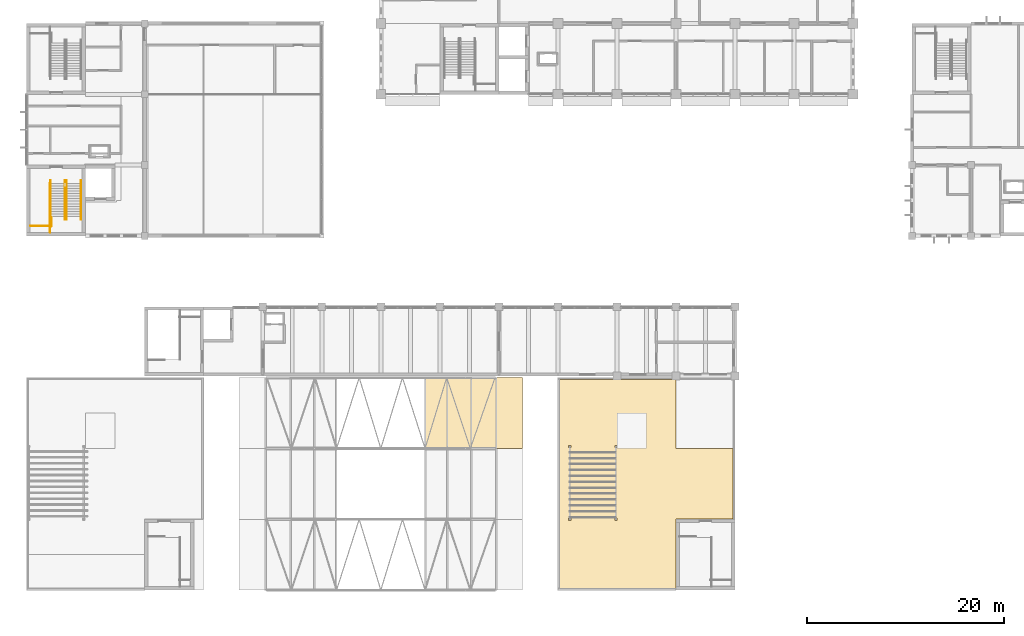
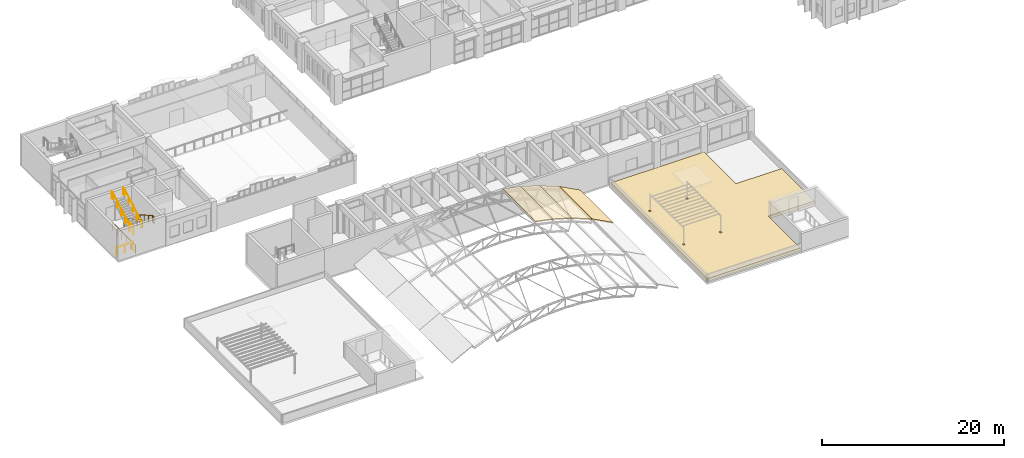
# One storey, part 83 of 92: 7 railings, 5 coverings.
"""IFC4 building model written with IfcOpenShell, lengths in metres."""

from ifc_helpers import new_model, si_unit, direction, frame, origin, origin_2d, place, context, subcontext, project, spatial, polyline, circle, outline, extrude, material, layer, layer_set, type_object, element, save


model = new_model("IFC4")

# Units and contexts
model_context = context("Model", 3, precision=1e-05, world=origin(), true_north=direction((0.0, 1.0)))
body_context = subcontext(model_context, "Body", "Model", "MODEL_VIEW")
ifc_project = project(units=[si_unit("LENGTHUNIT", "METRE"), si_unit("AREAUNIT", "SQUARE_METRE"), si_unit("VOLUMEUNIT", "CUBIC_METRE"), si_unit("PLANEANGLEUNIT", "RADIAN"), si_unit("MASSUNIT", "GRAM", prefix="KILO")], contexts=[model_context])

# Site, building, storey
site_placement = place(None, origin())
site = spatial("IfcSite", under=ifc_project, at=site_placement, CompositionType="ELEMENT")
building_placement = place(site_placement, origin())
building = spatial("IfcBuilding", under=site, at=building_placement, Name="Laocheng Heights Fire and Rescue Headquarters", CompositionType="ELEMENT")
storey_placement = place(building_placement, frame((0.0, 0.0, 12.60009765625)))
storey = spatial("IfcBuildingStorey", under=building, at=storey_placement, Name="L03", CompositionType="ELEMENT", Elevation=12.60009765625)

# Coverings
ifc_material_1 = material(Name="Standing-seam aluminium roof panel on insulated profiled deck", Category="aluminium")
ifc_layer_1 = layer(ifc_material_1, 0.1201171875)
ifc_layer_set_1 = layer_set([ifc_layer_1], Name="Standing-seam aluminium roof panel on insulated profiled deck")
covering_type_1 = type_object("IfcCoveringType", Name="BAY ROOF COVERING 120", PredefinedType="ROOFING", material=ifc_layer_set_1)
covering_1_placement = place(storey_placement, frame((40.559326171875, 14.39990234375, 4.25537109375), z_axis=(0.200082776709, 0.0, 0.979778996746), x_axis=(0.979778996746, 0.0, -0.200082776709)))
element("IfcCovering", 1, at=covering_1_placement, inside=storey, type_object=covering_type_1, Name="Roof covering facet 11 bay 3", PredefinedType="ROOFING", context=body_context, shape_type="SweptSolid", body=[
    extrude(outline(polyline([(0.0, 0.0), (2.2598068906136968, 0.0), (2.2598068906136968, 7.2001953125), (0.0, 7.2001953125), (0.0, 0.0)])), origin(), (0.0, 0.0, -1.0), 0.1201171875),
])
covering_2_placement = place(storey_placement, frame((42.78466796875, 14.39990234375, 3.800537109375), z_axis=(0.284984637187, 0.0, 0.958532084266), x_axis=(0.958532084266, 0.0, -0.284984637187)))
element("IfcCovering", 2, at=covering_2_placement, inside=storey, type_object=covering_type_1, Name="Roof covering facet 12 bay 3", PredefinedType="ROOFING", context=body_context, shape_type="SweptSolid", body=[
    extrude(outline(polyline([(0.0, 0.0), (2.5314892549823567, 0.0), (2.5314892549823567, 7.200195312499999), (0.0, 7.200195312499999), (0.0, 0.0)])), origin(), (0.0, 0.0, -1.0), 0.1201171875),
])
covering_3_placement = place(storey_placement, frame((45.22314453125, 14.39990234375, 3.074951171875), z_axis=(0.375561989396, 0.0, 0.926797276712), x_axis=(0.926797276712, 0.0, -0.375561989396)))
element("IfcCovering", 3, at=covering_3_placement, inside=storey, type_object=covering_type_1, Name="Roof covering facet 13 bay 3", PredefinedType="ROOFING", context=body_context, shape_type="SweptSolid", body=[
    extrude(outline(polyline([(0.0, 0.0), (2.7322334949924394, 0.0), (2.7322334949924394, 7.200195312500002), (0.0, 7.200195312500002), (0.0, 0.0)])), origin(), (0.0, 0.0, -1.0), 0.1201171875),
])
covering_4_placement = place(storey_placement, frame((47.767578125, 14.39990234375, 2.043212890625), z_axis=(0.470032816659, 0.0, 0.882648939989), x_axis=(0.882648939989, 0.0, -0.470032816659)))
element("IfcCovering", 4, at=covering_4_placement, inside=storey, type_object=covering_type_1, Name="Roof covering facet 14 bay 3", PredefinedType="ROOFING", context=body_context, shape_type="SweptSolid", body=[
    extrude(outline(polyline([(0.0, 0.0), (2.989215320882096, 0.0), (2.989215320882096, 7.200195312500002), (0.0, 7.200195312500002), (0.0, 0.0)])), origin(), (0.0, 0.0, -1.0), 0.1201171875),
])
ifc_material_2 = material(Name="Green roof substrate planted with sedum, on drainage layer")
ifc_layer_2 = layer(ifc_material_2, 0.39990234375)
ifc_layer_set_2 = layer_set([ifc_layer_2], Name="Green roof substrate planted with sedum, on drainage layer")
covering_type_2 = type_object("IfcCoveringType", Name="GREEN ROOF BUILD-UP 400", PredefinedType="ROOFING", material=ifc_layer_set_2)
covering_5_placement = place(storey_placement, origin())
element("IfcCovering", 5, at=covering_5_placement, inside=storey, type_object=covering_type_2, Name="Green roof Flank E", PredefinedType="ROOFING", context=body_context, shape_type="SweptSolid", body=[
    extrude(outline(polyline([(71.820068359375, 14.39990234375), (66.0, 14.39990234375), (66.0, 21.419921875), (54.179931640625, 21.419921875), (54.179931640625, 0.179931640625), (65.97998046875, 0.179931640625), (65.97998046875, 7.199951171875), (65.97998046875, 7.201904296875), (65.98046875, 7.203857421875), (65.98095703125, 7.205810546875), (65.9814453125, 7.207763671875), (65.982421875, 7.20947265625), (65.9833984375, 7.211181640625), (65.984619140625, 7.212646484375), (65.98583984375, 7.214111328125), (65.9873046875, 7.215576171875), (65.989013671875, 7.216552734375), (65.990478515625, 7.217529296875), (65.9921875, 7.218505859375), (65.994140625, 7.218994140625), (65.99609375, 7.219482421875), (65.998046875, 7.219970703125), (66.0, 7.219970703125), (71.820068359375, 7.219970703125), (71.820068359375, 14.39990234375)]), holes=[polyline([(55.080078125, 7.080078125), (55.080078125, 7.320068359375), (55.320068359375, 7.320068359375), (55.320068359375, 7.080078125), (55.080078125, 7.080078125)]), polyline([(59.780029296875, 7.080078125), (59.780029296875, 7.320068359375), (60.02001953125, 7.320068359375), (60.02001953125, 7.080078125), (59.780029296875, 7.080078125)]), polyline([(55.080078125, 14.47998046875), (55.080078125, 14.719970703125), (55.320068359375, 14.719970703125), (55.320068359375, 14.47998046875), (55.080078125, 14.47998046875)]), polyline([(59.780029296875, 14.47998046875), (59.780029296875, 14.719970703125), (60.02001953125, 14.719970703125), (60.02001953125, 14.47998046875), (59.780029296875, 14.47998046875)])]), origin(), (0.0, 0.0, 1.0), 0.39990234375),
])

# Railings
ifc_material_3 = material(Name="Steel Q355B", Category="steel")
railing_type_1 = type_object("IfcRailingType", Name="STAIR GUARD 1100", PredefinedType="GUARDRAIL", material=ifc_material_3)
railing_1_placement = place(storey_placement, frame((2.47509765625, 37.030029296875, 0.0)))
element("IfcRailing", 6, at=railing_1_placement, inside=storey, type_object=railing_type_1, Name="Stair P1 guard L03 tongue edge", PredefinedType="GUARDRAIL", context=body_context, shape_type="SweptSolid", body=[
    extrude(circle(Radius=0.02392578125, at=origin_2d()), frame((0.0, 0.0, 1.076171875), z_axis=(-1.0, 0.0, 0.0), x_axis=(0.0, -1.0, 0.0)), (0.0, 0.0, 1.0), 2.0751953125),
    extrude(circle(Radius=0.02099609375, at=origin_2d()), origin(), (0.0, 0.0, 1.0), 1.052001953125),
    extrude(circle(Radius=0.02099609375, at=origin_2d()), frame((-1.03759765625, 0.0, 0.0)), (0.0, 0.0, 1.0), 1.052001953125),
    extrude(circle(Radius=0.02099609375, at=origin_2d()), frame((-2.0751953125, 0.0, 0.0)), (0.0, 0.0, 1.0), 1.052001953125),
])
railing_2_placement = place(storey_placement, frame((2.39501953125, 36.3701171875, 0.0)))
element("IfcRailing", 7, at=railing_2_placement, inside=storey, type_object=railing_type_1, Name="Stair P1 guard L03 strip edge", PredefinedType="GUARDRAIL", context=body_context, shape_type="SweptSolid", body=[
    extrude(circle(Radius=0.02392578125, at=origin_2d()), frame((0.0, 0.0, 1.076171875), z_axis=(0.0, 1.0, 0.0), x_axis=(-1.0, 0.0, 0.0)), (0.0, 0.0, 1.0), 4.97998046875),
    extrude(circle(Radius=0.02099609375, at=origin_2d()), origin(), (0.0, 0.0, 1.0), 1.052001953125),
    extrude(circle(Radius=0.02099609375, at=origin_2d()), frame((0.0, 0.99609375, 0.0)), (0.0, 0.0, 1.0), 1.052001953125),
    extrude(circle(Radius=0.02099609375, at=origin_2d()), frame((0.0, 1.991943359375, 0.0)), (0.0, 0.0, 1.0), 1.052001953125),
    extrude(circle(Radius=0.02099609375, at=origin_2d()), frame((0.0, 2.988037109375, 0.0)), (0.0, 0.0, 1.0), 1.052001953125),
    extrude(circle(Radius=0.02099609375, at=origin_2d()), frame((0.0, 3.98388671875, 0.0)), (0.0, 0.0, 1.0), 1.052001953125),
    extrude(circle(Radius=0.02099609375, at=origin_2d()), frame((0.0, 4.97998046875, 0.0)), (0.0, 0.0, 1.0), 1.052001953125),
])
railing_3_placement = place(storey_placement, frame((2.5048828125, 36.969970703125, 2.099853515625)))
element("IfcRailing", 8, at=railing_3_placement, inside=storey, type_object=railing_type_1, Name="Stair P1 guard L03 half landing", PredefinedType="GUARDRAIL", context=body_context, shape_type="SweptSolid", body=[
    extrude(circle(Radius=0.02392578125, at=origin_2d()), frame((0.0, 0.0, 1.076171875), z_axis=(0.0, 1.0, 0.0), x_axis=(-1.0, 0.0, 0.0)), (0.0, 0.0, 1.0), 0.900146484375),
    extrude(circle(Radius=0.02099609375, at=origin_2d()), origin(), (0.0, 0.0, 1.0), 1.052001953125),
    extrude(circle(Radius=0.02099609375, at=origin_2d()), frame((0.0, 0.900146484375, 0.0)), (0.0, 0.0, 1.0), 1.052001953125),
])
ifc_material_4 = material(Name="Steel Q355B", Category="steel")
railing_type_2 = type_object("IfcRailingType", Name="STAIR HANDRAIL 920", PredefinedType="HANDRAIL", material=ifc_material_4)
for number, where, name in (
    (9, (5.5048828125, 41.64990234375, 0.0), "Stair P1 handrail L03 1"),
    (10, (4.044921875, 41.64990234375, 0.0), "Stair P1 handrail L03 2"),
):
    element("IfcRailing", number, at=place(storey_placement, frame(where)), inside=storey, type_object=railing_type_2, Name=name, PredefinedType="HANDRAIL", context=body_context, shape_type="SweptSolid", body=[
        extrude(circle(Radius=0.02392578125, at=origin_2d()), frame((0.0, 0.0, 0.89599609375), z_axis=(0.0, -0.868544392059, 0.495611379029), x_axis=(1.0, 0.0, 0.0)), (0.0, 0.0, 1.0), 4.23681640625),
        extrude(circle(Radius=0.02392578125, at=origin_2d()), frame((0.0, -3.679931640625, 2.99560546875), z_axis=(0.0, -1.0, 0.0), x_axis=(1.0, 0.0, 0.0)), (0.0, 0.0, 1.0), 0.300048828125),
        extrude(circle(Radius=0.02099609375, at=origin_2d()), origin(), (0.0, 0.0, 1.0), 0.871826171875),
        extrude(circle(Radius=0.02099609375, at=origin_2d()), frame((0.0, -0.919921875, 0.52490234375)), (0.0, 0.0, 1.0), 0.871826171875),
        extrude(circle(Radius=0.02099609375, at=origin_2d()), frame((0.0, -1.83984375, 1.0498046875)), (0.0, 0.0, 1.0), 0.871826171875),
        extrude(circle(Radius=0.02099609375, at=origin_2d()), frame((0.0, -2.760009765625, 1.574951171875)), (0.0, 0.0, 1.0), 0.871826171875),
        extrude(circle(Radius=0.02099609375, at=origin_2d()), frame((0.0, -3.679931640625, 2.099853515625)), (0.0, 0.0, 1.0), 0.871826171875),
        extrude(circle(Radius=0.02099609375, at=origin_2d()), frame((0.0, -3.97998046875, 2.099853515625)), (0.0, 0.0, 1.0), 0.871826171875),
    ])
for number, where, name in (
    (11, (3.905029296875, 37.669921875, 2.099853515625), "Stair P1 handrail L03 3"),
    (12, (2.445068359375, 37.669921875, 2.099853515625), "Stair P1 handrail L03 4"),
):
    element("IfcRailing", number, at=place(storey_placement, frame(where)), inside=storey, type_object=railing_type_2, Name=name, PredefinedType="HANDRAIL", context=body_context, shape_type="SweptSolid", body=[
        extrude(circle(Radius=0.02392578125, at=origin_2d()), frame((0.0, 0.0, 0.89599609375), z_axis=(0.0, 0.868533742332, 0.495630041896), x_axis=(-1.0, 0.0, 0.0)), (0.0, 0.0, 1.0), 4.2373046875),
        extrude(circle(Radius=0.02392578125, at=origin_2d()), frame((0.0, 3.68017578125, 2.99609375), z_axis=(0.0, 1.0, 0.0), x_axis=(-1.0, 0.0, 0.0)), (0.0, 0.0, 1.0), 0.2998046875),
        extrude(circle(Radius=0.02099609375, at=origin_2d()), origin(), (0.0, 0.0, 1.0), 0.871826171875),
        extrude(circle(Radius=0.02099609375, at=origin_2d()), frame((0.0, 0.919921875, 0.52490234375)), (0.0, 0.0, 1.0), 0.871826171875),
        extrude(circle(Radius=0.02099609375, at=origin_2d()), frame((0.0, 1.840087890625, 1.050048828125)), (0.0, 0.0, 1.0), 0.871826171875),
        extrude(circle(Radius=0.02099609375, at=origin_2d()), frame((0.0, 2.76025390625, 1.5751953125)), (0.0, 0.0, 1.0), 0.871826171875),
        extrude(circle(Radius=0.02099609375, at=origin_2d()), frame((0.0, 3.68017578125, 2.10009765625)), (0.0, 0.0, 1.0), 0.871826171875),
        extrude(circle(Radius=0.02099609375, at=origin_2d()), frame((0.0, 3.97998046875, 2.10009765625)), (0.0, 0.0, 1.0), 0.871826171875),
    ])

save(model, "model.ifc")
